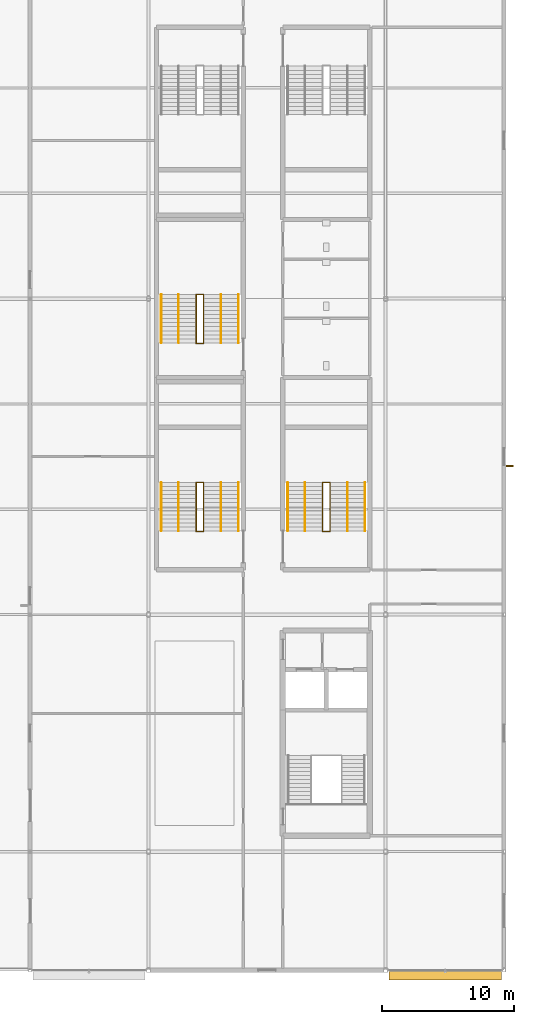
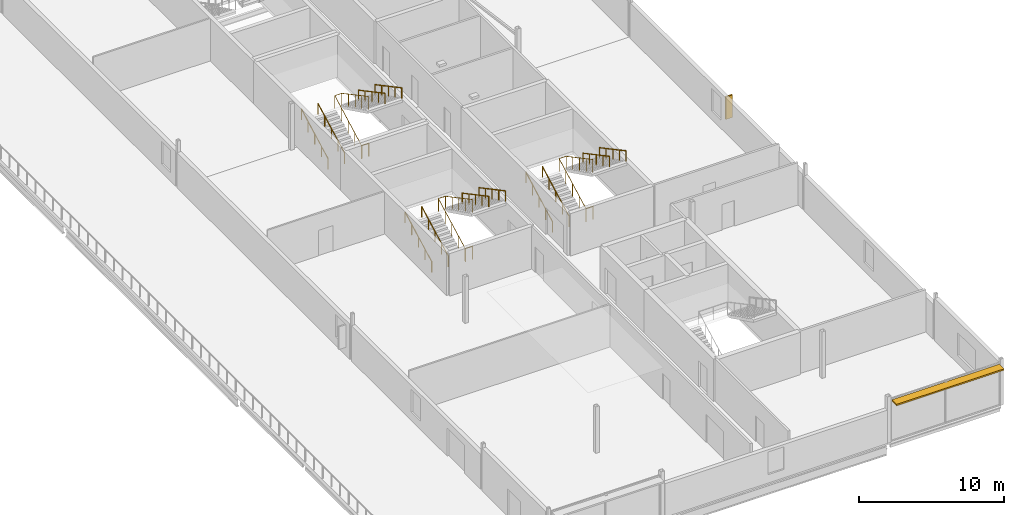
# One storey, part 53 of 55: 18 railings, 2 shading devices.
"""IFC4 building model written with IfcOpenShell, lengths in metres."""

from ifc_helpers import new_model, si_unit, direction, frame, origin, origin_2d, place, context, subcontext, project, spatial, rectangle, circle, extrude, material, type_object, element, save


model = new_model("IFC4")

# Units and contexts
model_context = context("Model", 3, precision=1e-05, world=origin(), true_north=direction((0.0, 1.0)))
body_context = subcontext(model_context, "Body", "Model", "MODEL_VIEW")
ifc_project = project(units=[si_unit("LENGTHUNIT", "METRE"), si_unit("AREAUNIT", "SQUARE_METRE"), si_unit("VOLUMEUNIT", "CUBIC_METRE"), si_unit("PLANEANGLEUNIT", "RADIAN"), si_unit("MASSUNIT", "GRAM", prefix="KILO")], contexts=[model_context])

# Site, building, storey
site_placement = place(None, origin())
site = spatial("IfcSite", under=ifc_project, at=site_placement, CompositionType="ELEMENT")
building_placement = place(site_placement, origin())
building = spatial("IfcBuilding", under=site, at=building_placement, Name="Kisiwana Market Hall", CompositionType="ELEMENT")
storey_placement = place(building_placement, frame((0.0, 0.0, 37.800048828125)))
storey = spatial("IfcBuildingStorey", under=building, at=storey_placement, Name="L08", CompositionType="ELEMENT", Elevation=37.800048828125)

# Railings
ifc_material_1 = material(Name="Steel S275", Category="steel")
railing_type_1 = type_object("IfcRailingType", Name="RL-GUARD-1100", PredefinedType="GUARDRAIL", material=ifc_material_1)
railing_1_placement = place(storey_placement, frame((184.219970703125, 42.360107421875, 0.0)))
element("IfcRailing", 1, at=railing_1_placement, inside=storey, type_object=railing_type_1, Name="Stair ST-E3-L08 inner-well guardrail (RL-1159)", PredefinedType="GUARDRAIL", context=body_context, shape_type="SweptSolid", body=[
    extrude(circle(Radius=0.02392578125, at=origin_2d()), frame((0.0, 0.0, 1.076171875), z_axis=(0.0, 0.88255331184, 0.47021234752), x_axis=(-1.0, 0.0, 0.0)), (0.0, 0.0, 1.0), 4.14697265625),
    extrude(circle(Radius=0.02392578125, at=origin_2d()), frame((0.0, 3.659912109375, 3.02587890625), z_axis=(1.0, 0.0, 0.0), x_axis=(0.0, 1.0, 0.0)), (0.0, 0.0, 1.0), 0.56005859375),
    extrude(circle(Radius=0.02392578125, at=origin_2d()), frame((0.56005859375, 3.659912109375, 3.02587890625), z_axis=(0.0, -0.88255331184, 0.47021234752), x_axis=(1.0, 0.0, 0.0)), (0.0, 0.0, 1.0), 4.14697265625),
    extrude(circle(Radius=0.02099609375, at=origin_2d()), origin(), (0.0, 0.0, 1.0), 1.052001953125),
    extrude(circle(Radius=0.02099609375, at=origin_2d()), frame((0.0, 0.9150390625, 0.487548828125)), (0.0, 0.0, 1.0), 1.052001953125),
    extrude(circle(Radius=0.02099609375, at=origin_2d()), frame((0.0, 1.830078125, 0.97509765625)), (0.0, 0.0, 1.0), 1.052001953125),
    extrude(circle(Radius=0.02099609375, at=origin_2d()), frame((0.0, 2.744873046875, 1.46240234375)), (0.0, 0.0, 1.0), 1.052001953125),
    extrude(circle(Radius=0.02099609375, at=origin_2d()), frame((0.0, 3.659912109375, 1.949951171875)), (0.0, 0.0, 1.0), 1.052001953125),
    extrude(circle(Radius=0.02099609375, at=origin_2d()), frame((0.56005859375, 3.659912109375, 1.949951171875)), (0.0, 0.0, 1.0), 1.052001953125),
    extrude(circle(Radius=0.02099609375, at=origin_2d()), frame((0.56005859375, 2.744873046875, 2.4375)), (0.0, 0.0, 1.0), 1.052001953125),
    extrude(circle(Radius=0.02099609375, at=origin_2d()), frame((0.56005859375, 1.830078125, 2.9248046875)), (0.0, 0.0, 1.0), 1.052001953125),
    extrude(circle(Radius=0.02099609375, at=origin_2d()), frame((0.56005859375, 0.9150390625, 3.412353515625)), (0.0, 0.0, 1.0), 1.052001953125),
    extrude(circle(Radius=0.02099609375, at=origin_2d()), frame((0.56005859375, 0.0, 3.89990234375)), (0.0, 0.0, 1.0), 1.052001953125),
])
railing_2_placement = place(storey_placement, frame((184.219970703125, 42.31005859375, 0.0)))
element("IfcRailing", 2, at=railing_2_placement, inside=storey, type_object=railing_type_1, Name="Stair ST-E3-L08 landing edge guardrail (RL-1164)", PredefinedType="GUARDRAIL", context=body_context, shape_type="SweptSolid", body=[
    extrude(circle(Radius=0.02392578125, at=origin_2d()), frame((0.0, 0.0, 1.076171875), z_axis=(1.0, 0.0, 0.0), x_axis=(0.0, 1.0, 0.0)), (0.0, 0.0, 1.0), 0.56005859375),
    extrude(circle(Radius=0.02099609375, at=origin_2d()), origin(), (0.0, 0.0, 1.0), 1.052001953125),
    extrude(circle(Radius=0.02099609375, at=origin_2d()), frame((0.56005859375, 0.0, 0.0)), (0.0, 0.0, 1.0), 1.052001953125),
])
railing_3_placement = place(storey_placement, frame((174.6201171875, 42.360107421875, 0.0)))
element("IfcRailing", 3, at=railing_3_placement, inside=storey, type_object=railing_type_1, Name="Stair ST-E7-L08 inner-well guardrail (RL-1177)", PredefinedType="GUARDRAIL", context=body_context, shape_type="SweptSolid", body=[
    extrude(circle(Radius=0.02392578125, at=origin_2d()), frame((0.0, 0.0, 1.076171875), z_axis=(0.0, 0.88255331184, 0.47021234752), x_axis=(-1.0, 0.0, 0.0)), (0.0, 0.0, 1.0), 4.14697265625),
    extrude(circle(Radius=0.02392578125, at=origin_2d()), frame((0.0, 3.659912109375, 3.02587890625), z_axis=(1.0, 0.0, 0.0), x_axis=(0.0, 1.0, 0.0)), (0.0, 0.0, 1.0), 0.559814453125),
    extrude(circle(Radius=0.02392578125, at=origin_2d()), frame((0.559814453125, 3.659912109375, 3.02587890625), z_axis=(0.0, -0.88255331184, 0.47021234752), x_axis=(1.0, 0.0, 0.0)), (0.0, 0.0, 1.0), 4.14697265625),
    extrude(circle(Radius=0.02099609375, at=origin_2d()), origin(), (0.0, 0.0, 1.0), 1.052001953125),
    extrude(circle(Radius=0.02099609375, at=origin_2d()), frame((0.0, 0.9150390625, 0.487548828125)), (0.0, 0.0, 1.0), 1.052001953125),
    extrude(circle(Radius=0.02099609375, at=origin_2d()), frame((0.0, 1.830078125, 0.97509765625)), (0.0, 0.0, 1.0), 1.052001953125),
    extrude(circle(Radius=0.02099609375, at=origin_2d()), frame((0.0, 2.744873046875, 1.46240234375)), (0.0, 0.0, 1.0), 1.052001953125),
    extrude(circle(Radius=0.02099609375, at=origin_2d()), frame((0.0, 3.659912109375, 1.949951171875)), (0.0, 0.0, 1.0), 1.052001953125),
    extrude(circle(Radius=0.02099609375, at=origin_2d()), frame((0.559814453125, 3.659912109375, 1.949951171875)), (0.0, 0.0, 1.0), 1.052001953125),
    extrude(circle(Radius=0.02099609375, at=origin_2d()), frame((0.559814453125, 2.744873046875, 2.4375)), (0.0, 0.0, 1.0), 1.052001953125),
    extrude(circle(Radius=0.02099609375, at=origin_2d()), frame((0.559814453125, 1.830078125, 2.9248046875)), (0.0, 0.0, 1.0), 1.052001953125),
    extrude(circle(Radius=0.02099609375, at=origin_2d()), frame((0.559814453125, 0.9150390625, 3.412353515625)), (0.0, 0.0, 1.0), 1.052001953125),
    extrude(circle(Radius=0.02099609375, at=origin_2d()), frame((0.559814453125, 0.0, 3.89990234375)), (0.0, 0.0, 1.0), 1.052001953125),
])
railing_4_placement = place(storey_placement, frame((174.6201171875, 42.31005859375, 0.0)))
element("IfcRailing", 4, at=railing_4_placement, inside=storey, type_object=railing_type_1, Name="Stair ST-E7-L08 landing edge guardrail (RL-1182)", PredefinedType="GUARDRAIL", context=body_context, shape_type="SweptSolid", body=[
    extrude(circle(Radius=0.02392578125, at=origin_2d()), frame((0.0, 0.0, 1.076171875), z_axis=(1.0, 0.0, 0.0), x_axis=(0.0, 1.0, 0.0)), (0.0, 0.0, 1.0), 0.559814453125),
    extrude(circle(Radius=0.02099609375, at=origin_2d()), origin(), (0.0, 0.0, 1.0), 1.052001953125),
    extrude(circle(Radius=0.02099609375, at=origin_2d()), frame((0.559814453125, 0.0, 0.0)), (0.0, 0.0, 1.0), 1.052001953125),
])
railing_5_placement = place(storey_placement, frame((174.6201171875, 56.639892578125, 0.0)))
element("IfcRailing", 5, at=railing_5_placement, inside=storey, type_object=railing_type_1, Name="Stair ST-E5-L08 inner-well guardrail (RL-1201)", PredefinedType="GUARDRAIL", context=body_context, shape_type="SweptSolid", body=[
    extrude(circle(Radius=0.02392578125, at=origin_2d()), frame((0.0, 0.0, 1.076171875), z_axis=(0.0, 0.882566327451, 0.470187917379), x_axis=(-1.0, 0.0, 0.0)), (0.0, 0.0, 1.0), 4.147216796875),
    extrude(circle(Radius=0.02392578125, at=origin_2d()), frame((0.0, 3.66015625, 3.02587890625), z_axis=(1.0, 0.0, 0.0), x_axis=(0.0, 1.0, 0.0)), (0.0, 0.0, 1.0), 0.559814453125),
    extrude(circle(Radius=0.02392578125, at=origin_2d()), frame((0.559814453125, 3.66015625, 3.02587890625), z_axis=(0.0, -0.882566327451, 0.470187917379), x_axis=(1.0, 0.0, 0.0)), (0.0, 0.0, 1.0), 4.147216796875),
    extrude(circle(Radius=0.02099609375, at=origin_2d()), origin(), (0.0, 0.0, 1.0), 1.052001953125),
    extrude(circle(Radius=0.02099609375, at=origin_2d()), frame((0.0, 0.9150390625, 0.487548828125)), (0.0, 0.0, 1.0), 1.052001953125),
    extrude(circle(Radius=0.02099609375, at=origin_2d()), frame((0.0, 1.830078125, 0.97509765625)), (0.0, 0.0, 1.0), 1.052001953125),
    extrude(circle(Radius=0.02099609375, at=origin_2d()), frame((0.0, 2.7451171875, 1.46240234375)), (0.0, 0.0, 1.0), 1.052001953125),
    extrude(circle(Radius=0.02099609375, at=origin_2d()), frame((0.0, 3.66015625, 1.949951171875)), (0.0, 0.0, 1.0), 1.052001953125),
    extrude(circle(Radius=0.02099609375, at=origin_2d()), frame((0.559814453125, 3.66015625, 1.949951171875)), (0.0, 0.0, 1.0), 1.052001953125),
    extrude(circle(Radius=0.02099609375, at=origin_2d()), frame((0.559814453125, 2.7451171875, 2.4375)), (0.0, 0.0, 1.0), 1.052001953125),
    extrude(circle(Radius=0.02099609375, at=origin_2d()), frame((0.559814453125, 1.830078125, 2.9248046875)), (0.0, 0.0, 1.0), 1.052001953125),
    extrude(circle(Radius=0.02099609375, at=origin_2d()), frame((0.559814453125, 0.9150390625, 3.412353515625)), (0.0, 0.0, 1.0), 1.052001953125),
    extrude(circle(Radius=0.02099609375, at=origin_2d()), frame((0.559814453125, 0.0, 3.89990234375)), (0.0, 0.0, 1.0), 1.052001953125),
])
railing_6_placement = place(storey_placement, frame((174.6201171875, 56.590087890625, 0.0)))
element("IfcRailing", 6, at=railing_6_placement, inside=storey, type_object=railing_type_1, Name="Stair ST-E5-L08 landing edge guardrail (RL-1206)", PredefinedType="GUARDRAIL", context=body_context, shape_type="SweptSolid", body=[
    extrude(circle(Radius=0.02392578125, at=origin_2d()), frame((0.0, 0.0, 1.076171875), z_axis=(1.0, 0.0, 0.0), x_axis=(0.0, 1.0, 0.0)), (0.0, 0.0, 1.0), 0.559814453125),
    extrude(circle(Radius=0.02099609375, at=origin_2d()), origin(), (0.0, 0.0, 1.0), 1.052001953125),
    extrude(circle(Radius=0.02099609375, at=origin_2d()), frame((0.559814453125, 0.0, 0.0)), (0.0, 0.0, 1.0), 1.052001953125),
])
ifc_material_2 = material(Name="Steel S275", Category="steel")
railing_type_2 = type_object("IfcRailingType", Name="RL-HAND-900", PredefinedType="HANDRAIL", material=ifc_material_2)
railing_7_placement = place(storey_placement, frame((181.570068359375, 42.360107421875, 0.0)))
element("IfcRailing", 7, at=railing_7_placement, inside=storey, type_object=railing_type_2, Name="Stair ST-E3-L08 flight 1 handrail (RL-1160)", PredefinedType="HANDRAIL", context=body_context, shape_type="SweptSolid", body=[
    extrude(circle(Radius=0.02392578125, at=origin_2d()), frame((0.0, 0.0, 0.8759765625), z_axis=(0.0, 0.88255331184, 0.47021234752), x_axis=(-1.0, 0.0, 0.0)), (0.0, 0.0, 1.0), 4.14697265625),
    extrude(circle(Radius=0.02099609375, at=origin_2d()), origin(), (0.0, 0.0, 1.0), 0.851806640625),
    extrude(circle(Radius=0.02099609375, at=origin_2d()), frame((0.0, 0.9150390625, 0.487548828125)), (0.0, 0.0, 1.0), 0.851806640625),
    extrude(circle(Radius=0.02099609375, at=origin_2d()), frame((0.0, 1.830078125, 0.97509765625)), (0.0, 0.0, 1.0), 0.851806640625),
    extrude(circle(Radius=0.02099609375, at=origin_2d()), frame((0.0, 2.744873046875, 1.46240234375)), (0.0, 0.0, 1.0), 0.851806640625),
    extrude(circle(Radius=0.02099609375, at=origin_2d()), frame((0.0, 3.659912109375, 1.949951171875)), (0.0, 0.0, 1.0), 0.851806640625),
])
railing_8_placement = place(storey_placement, frame((187.429931640625, 46.02001953125, 1.949951171875)))
element("IfcRailing", 8, at=railing_8_placement, inside=storey, type_object=railing_type_2, Name="Stair ST-E3-L08 flight 2 handrail (RL-1161)", PredefinedType="HANDRAIL", context=body_context, shape_type="SweptSolid", body=[
    extrude(circle(Radius=0.02392578125, at=origin_2d()), frame((0.0, 0.0, 0.8759765625), z_axis=(0.0, -0.88255331184, 0.47021234752), x_axis=(1.0, 0.0, 0.0)), (0.0, 0.0, 1.0), 4.14697265625),
    extrude(circle(Radius=0.02099609375, at=origin_2d()), origin(), (0.0, 0.0, 1.0), 0.851806640625),
    extrude(circle(Radius=0.02099609375, at=origin_2d()), frame((0.0, -0.9150390625, 0.487548828125)), (0.0, 0.0, 1.0), 0.851806640625),
    extrude(circle(Radius=0.02099609375, at=origin_2d()), frame((0.0, -1.830078125, 0.97509765625)), (0.0, 0.0, 1.0), 0.851806640625),
    extrude(circle(Radius=0.02099609375, at=origin_2d()), frame((0.0, -2.744873046875, 1.46240234375)), (0.0, 0.0, 1.0), 0.851806640625),
    extrude(circle(Radius=0.02099609375, at=origin_2d()), frame((0.0, -3.659912109375, 1.949951171875)), (0.0, 0.0, 1.0), 0.851806640625),
])
railing_9_placement = place(storey_placement, frame((182.889892578125, 42.360107421875, 0.0)))
element("IfcRailing", 9, at=railing_9_placement, inside=storey, type_object=railing_type_2, Name="Stair ST-E3-L08 flight 1 intermediate handrail (RL-1162)", PredefinedType="HANDRAIL", context=body_context, shape_type="SweptSolid", body=[
    extrude(circle(Radius=0.02392578125, at=origin_2d()), frame((0.0, 0.0, 0.8759765625), z_axis=(0.0, 0.88255331184, 0.47021234752), x_axis=(-1.0, 0.0, 0.0)), (0.0, 0.0, 1.0), 4.14697265625),
    extrude(circle(Radius=0.02099609375, at=origin_2d()), origin(), (0.0, 0.0, 1.0), 0.851806640625),
    extrude(circle(Radius=0.02099609375, at=origin_2d()), frame((0.0, 0.9150390625, 0.487548828125)), (0.0, 0.0, 1.0), 0.851806640625),
    extrude(circle(Radius=0.02099609375, at=origin_2d()), frame((0.0, 1.830078125, 0.97509765625)), (0.0, 0.0, 1.0), 0.851806640625),
    extrude(circle(Radius=0.02099609375, at=origin_2d()), frame((0.0, 2.744873046875, 1.46240234375)), (0.0, 0.0, 1.0), 0.851806640625),
    extrude(circle(Radius=0.02099609375, at=origin_2d()), frame((0.0, 3.659912109375, 1.949951171875)), (0.0, 0.0, 1.0), 0.851806640625),
])
railing_10_placement = place(storey_placement, frame((186.110107421875, 46.02001953125, 1.949951171875)))
element("IfcRailing", 10, at=railing_10_placement, inside=storey, type_object=railing_type_2, Name="Stair ST-E3-L08 flight 2 intermediate handrail (RL-1163)", PredefinedType="HANDRAIL", context=body_context, shape_type="SweptSolid", body=[
    extrude(circle(Radius=0.02392578125, at=origin_2d()), frame((0.0, 0.0, 0.8759765625), z_axis=(0.0, -0.88255331184, 0.47021234752), x_axis=(1.0, 0.0, 0.0)), (0.0, 0.0, 1.0), 4.14697265625),
    extrude(circle(Radius=0.02099609375, at=origin_2d()), origin(), (0.0, 0.0, 1.0), 0.851806640625),
    extrude(circle(Radius=0.02099609375, at=origin_2d()), frame((0.0, -0.9150390625, 0.487548828125)), (0.0, 0.0, 1.0), 0.851806640625),
    extrude(circle(Radius=0.02099609375, at=origin_2d()), frame((0.0, -1.830078125, 0.97509765625)), (0.0, 0.0, 1.0), 0.851806640625),
    extrude(circle(Radius=0.02099609375, at=origin_2d()), frame((0.0, -2.744873046875, 1.46240234375)), (0.0, 0.0, 1.0), 0.851806640625),
    extrude(circle(Radius=0.02099609375, at=origin_2d()), frame((0.0, -3.659912109375, 1.949951171875)), (0.0, 0.0, 1.0), 0.851806640625),
])
railing_11_placement = place(storey_placement, frame((171.969970703125, 42.360107421875, 0.0)))
element("IfcRailing", 11, at=railing_11_placement, inside=storey, type_object=railing_type_2, Name="Stair ST-E7-L08 flight 1 handrail (RL-1178)", PredefinedType="HANDRAIL", context=body_context, shape_type="SweptSolid", body=[
    extrude(circle(Radius=0.02392578125, at=origin_2d()), frame((0.0, 0.0, 0.8759765625), z_axis=(0.0, 0.88255331184, 0.47021234752), x_axis=(-1.0, 0.0, 0.0)), (0.0, 0.0, 1.0), 4.14697265625),
    extrude(circle(Radius=0.02099609375, at=origin_2d()), origin(), (0.0, 0.0, 1.0), 0.851806640625),
    extrude(circle(Radius=0.02099609375, at=origin_2d()), frame((0.0, 0.9150390625, 0.487548828125)), (0.0, 0.0, 1.0), 0.851806640625),
    extrude(circle(Radius=0.02099609375, at=origin_2d()), frame((0.0, 1.830078125, 0.97509765625)), (0.0, 0.0, 1.0), 0.851806640625),
    extrude(circle(Radius=0.02099609375, at=origin_2d()), frame((0.0, 2.744873046875, 1.46240234375)), (0.0, 0.0, 1.0), 0.851806640625),
    extrude(circle(Radius=0.02099609375, at=origin_2d()), frame((0.0, 3.659912109375, 1.949951171875)), (0.0, 0.0, 1.0), 0.851806640625),
])
railing_12_placement = place(storey_placement, frame((177.830078125, 46.02001953125, 1.949951171875)))
element("IfcRailing", 12, at=railing_12_placement, inside=storey, type_object=railing_type_2, Name="Stair ST-E7-L08 flight 2 handrail (RL-1179)", PredefinedType="HANDRAIL", context=body_context, shape_type="SweptSolid", body=[
    extrude(circle(Radius=0.02392578125, at=origin_2d()), frame((0.0, 0.0, 0.8759765625), z_axis=(0.0, -0.88255331184, 0.47021234752), x_axis=(1.0, 0.0, 0.0)), (0.0, 0.0, 1.0), 4.14697265625),
    extrude(circle(Radius=0.02099609375, at=origin_2d()), origin(), (0.0, 0.0, 1.0), 0.851806640625),
    extrude(circle(Radius=0.02099609375, at=origin_2d()), frame((0.0, -0.9150390625, 0.487548828125)), (0.0, 0.0, 1.0), 0.851806640625),
    extrude(circle(Radius=0.02099609375, at=origin_2d()), frame((0.0, -1.830078125, 0.97509765625)), (0.0, 0.0, 1.0), 0.851806640625),
    extrude(circle(Radius=0.02099609375, at=origin_2d()), frame((0.0, -2.744873046875, 1.46240234375)), (0.0, 0.0, 1.0), 0.851806640625),
    extrude(circle(Radius=0.02099609375, at=origin_2d()), frame((0.0, -3.659912109375, 1.949951171875)), (0.0, 0.0, 1.0), 0.851806640625),
])
railing_13_placement = place(storey_placement, frame((173.2900390625, 42.360107421875, 0.0)))
element("IfcRailing", 13, at=railing_13_placement, inside=storey, type_object=railing_type_2, Name="Stair ST-E7-L08 flight 1 intermediate handrail (RL-1180)", PredefinedType="HANDRAIL", context=body_context, shape_type="SweptSolid", body=[
    extrude(circle(Radius=0.02392578125, at=origin_2d()), frame((0.0, 0.0, 0.8759765625), z_axis=(0.0, 0.88255331184, 0.47021234752), x_axis=(-1.0, 0.0, 0.0)), (0.0, 0.0, 1.0), 4.14697265625),
    extrude(circle(Radius=0.02099609375, at=origin_2d()), origin(), (0.0, 0.0, 1.0), 0.851806640625),
    extrude(circle(Radius=0.02099609375, at=origin_2d()), frame((0.0, 0.9150390625, 0.487548828125)), (0.0, 0.0, 1.0), 0.851806640625),
    extrude(circle(Radius=0.02099609375, at=origin_2d()), frame((0.0, 1.830078125, 0.97509765625)), (0.0, 0.0, 1.0), 0.851806640625),
    extrude(circle(Radius=0.02099609375, at=origin_2d()), frame((0.0, 2.744873046875, 1.46240234375)), (0.0, 0.0, 1.0), 0.851806640625),
    extrude(circle(Radius=0.02099609375, at=origin_2d()), frame((0.0, 3.659912109375, 1.949951171875)), (0.0, 0.0, 1.0), 0.851806640625),
])
railing_14_placement = place(storey_placement, frame((176.510009765625, 46.02001953125, 1.949951171875)))
element("IfcRailing", 14, at=railing_14_placement, inside=storey, type_object=railing_type_2, Name="Stair ST-E7-L08 flight 2 intermediate handrail (RL-1181)", PredefinedType="HANDRAIL", context=body_context, shape_type="SweptSolid", body=[
    extrude(circle(Radius=0.02392578125, at=origin_2d()), frame((0.0, 0.0, 0.8759765625), z_axis=(0.0, -0.88255331184, 0.47021234752), x_axis=(1.0, 0.0, 0.0)), (0.0, 0.0, 1.0), 4.14697265625),
    extrude(circle(Radius=0.02099609375, at=origin_2d()), origin(), (0.0, 0.0, 1.0), 0.851806640625),
    extrude(circle(Radius=0.02099609375, at=origin_2d()), frame((0.0, -0.9150390625, 0.487548828125)), (0.0, 0.0, 1.0), 0.851806640625),
    extrude(circle(Radius=0.02099609375, at=origin_2d()), frame((0.0, -1.830078125, 0.97509765625)), (0.0, 0.0, 1.0), 0.851806640625),
    extrude(circle(Radius=0.02099609375, at=origin_2d()), frame((0.0, -2.744873046875, 1.46240234375)), (0.0, 0.0, 1.0), 0.851806640625),
    extrude(circle(Radius=0.02099609375, at=origin_2d()), frame((0.0, -3.659912109375, 1.949951171875)), (0.0, 0.0, 1.0), 0.851806640625),
])
railing_15_placement = place(storey_placement, frame((171.969970703125, 56.639892578125, 0.0)))
element("IfcRailing", 15, at=railing_15_placement, inside=storey, type_object=railing_type_2, Name="Stair ST-E5-L08 flight 1 handrail (RL-1202)", PredefinedType="HANDRAIL", context=body_context, shape_type="SweptSolid", body=[
    extrude(circle(Radius=0.02392578125, at=origin_2d()), frame((0.0, 0.0, 0.8759765625), z_axis=(0.0, 0.882566327451, 0.470187917379), x_axis=(-1.0, 0.0, 0.0)), (0.0, 0.0, 1.0), 4.147216796875),
    extrude(circle(Radius=0.02099609375, at=origin_2d()), origin(), (0.0, 0.0, 1.0), 0.851806640625),
    extrude(circle(Radius=0.02099609375, at=origin_2d()), frame((0.0, 0.9150390625, 0.487548828125)), (0.0, 0.0, 1.0), 0.851806640625),
    extrude(circle(Radius=0.02099609375, at=origin_2d()), frame((0.0, 1.830078125, 0.97509765625)), (0.0, 0.0, 1.0), 0.851806640625),
    extrude(circle(Radius=0.02099609375, at=origin_2d()), frame((0.0, 2.7451171875, 1.46240234375)), (0.0, 0.0, 1.0), 0.851806640625),
    extrude(circle(Radius=0.02099609375, at=origin_2d()), frame((0.0, 3.66015625, 1.949951171875)), (0.0, 0.0, 1.0), 0.851806640625),
])
railing_16_placement = place(storey_placement, frame((177.830078125, 60.300048828125, 1.949951171875)))
element("IfcRailing", 16, at=railing_16_placement, inside=storey, type_object=railing_type_2, Name="Stair ST-E5-L08 flight 2 handrail (RL-1203)", PredefinedType="HANDRAIL", context=body_context, shape_type="SweptSolid", body=[
    extrude(circle(Radius=0.02392578125, at=origin_2d()), frame((0.0, 0.0, 0.8759765625), z_axis=(0.0, -0.882566327451, 0.470187917379), x_axis=(1.0, 0.0, 0.0)), (0.0, 0.0, 1.0), 4.147216796875),
    extrude(circle(Radius=0.02099609375, at=origin_2d()), origin(), (0.0, 0.0, 1.0), 0.851806640625),
    extrude(circle(Radius=0.02099609375, at=origin_2d()), frame((0.0, -0.9150390625, 0.487548828125)), (0.0, 0.0, 1.0), 0.851806640625),
    extrude(circle(Radius=0.02099609375, at=origin_2d()), frame((0.0, -1.830078125, 0.97509765625)), (0.0, 0.0, 1.0), 0.851806640625),
    extrude(circle(Radius=0.02099609375, at=origin_2d()), frame((0.0, -2.7451171875, 1.46240234375)), (0.0, 0.0, 1.0), 0.851806640625),
    extrude(circle(Radius=0.02099609375, at=origin_2d()), frame((0.0, -3.66015625, 1.949951171875)), (0.0, 0.0, 1.0), 0.851806640625),
])
railing_17_placement = place(storey_placement, frame((173.2900390625, 56.639892578125, 0.0)))
element("IfcRailing", 17, at=railing_17_placement, inside=storey, type_object=railing_type_2, Name="Stair ST-E5-L08 flight 1 intermediate handrail (RL-1204)", PredefinedType="HANDRAIL", context=body_context, shape_type="SweptSolid", body=[
    extrude(circle(Radius=0.02392578125, at=origin_2d()), frame((0.0, 0.0, 0.8759765625), z_axis=(0.0, 0.882566327451, 0.470187917379), x_axis=(-1.0, 0.0, 0.0)), (0.0, 0.0, 1.0), 4.147216796875),
    extrude(circle(Radius=0.02099609375, at=origin_2d()), origin(), (0.0, 0.0, 1.0), 0.851806640625),
    extrude(circle(Radius=0.02099609375, at=origin_2d()), frame((0.0, 0.9150390625, 0.487548828125)), (0.0, 0.0, 1.0), 0.851806640625),
    extrude(circle(Radius=0.02099609375, at=origin_2d()), frame((0.0, 1.830078125, 0.97509765625)), (0.0, 0.0, 1.0), 0.851806640625),
    extrude(circle(Radius=0.02099609375, at=origin_2d()), frame((0.0, 2.7451171875, 1.46240234375)), (0.0, 0.0, 1.0), 0.851806640625),
    extrude(circle(Radius=0.02099609375, at=origin_2d()), frame((0.0, 3.66015625, 1.949951171875)), (0.0, 0.0, 1.0), 0.851806640625),
])
railing_18_placement = place(storey_placement, frame((176.510009765625, 60.300048828125, 1.949951171875)))
element("IfcRailing", 18, at=railing_18_placement, inside=storey, type_object=railing_type_2, Name="Stair ST-E5-L08 flight 2 intermediate handrail (RL-1205)", PredefinedType="HANDRAIL", context=body_context, shape_type="SweptSolid", body=[
    extrude(circle(Radius=0.02392578125, at=origin_2d()), frame((0.0, 0.0, 0.8759765625), z_axis=(0.0, -0.882566327451, 0.470187917379), x_axis=(1.0, 0.0, 0.0)), (0.0, 0.0, 1.0), 4.147216796875),
    extrude(circle(Radius=0.02099609375, at=origin_2d()), origin(), (0.0, 0.0, 1.0), 0.851806640625),
    extrude(circle(Radius=0.02099609375, at=origin_2d()), frame((0.0, -0.9150390625, 0.487548828125)), (0.0, 0.0, 1.0), 0.851806640625),
    extrude(circle(Radius=0.02099609375, at=origin_2d()), frame((0.0, -1.830078125, 0.97509765625)), (0.0, 0.0, 1.0), 0.851806640625),
    extrude(circle(Radius=0.02099609375, at=origin_2d()), frame((0.0, -2.7451171875, 1.46240234375)), (0.0, 0.0, 1.0), 0.851806640625),
    extrude(circle(Radius=0.02099609375, at=origin_2d()), frame((0.0, -3.66015625, 1.949951171875)), (0.0, 0.0, 1.0), 0.851806640625),
])

# Shading devices
ifc_material_3 = material(Name="Aluminium alloy 6063-T6", Category="aluminium")
shading_device_type_1 = type_object("IfcShadingDeviceType", Name="SHD-JALOUSIE-H", PredefinedType="JALOUSIE", material=ifc_material_3)
shading_device_1_placement = place(storey_placement, frame((193.52001953125, 8.580078125, 3.385009765625), z_axis=(0.0, 0.0, 1.0), x_axis=(1.0, 0.0, 0.0)))
element("IfcShadingDevice", 19, at=shading_device_1_placement, inside=storey, type_object=shading_device_type_1, Name="Aluminium brise-soleil louvre SHD-180 SD-179", PredefinedType="JALOUSIE", context=body_context, shape_type="SweptSolid", body=[
    extrude(rectangle(XDim=8.5400390625, YDim=0.64990234375, at=origin_2d()), origin(), (0.0, 0.0, 1.0), 0.1201171875),
])
ifc_material_4 = material(Name="Aluminium alloy 6063-T6", Category="aluminium")
shading_device_type_2 = type_object("IfcShadingDeviceType", Name="SHD-SHUTTER-V", PredefinedType="SHUTTER", material=ifc_material_4)
shading_device_2_placement = place(storey_placement, frame((198.4326171875, 47.27001953125, 0.699951171875), z_axis=(0.0, 0.0, 1.0), x_axis=(0.0, 1.0, 0.0)))
element("IfcShadingDevice", 20, at=shading_device_2_placement, inside=storey, type_object=shading_device_type_2, Name="Vertical solar fin SHD-187 SD-186", PredefinedType="SHUTTER", context=body_context, shape_type="SweptSolid", body=[
    extrude(rectangle(XDim=0.1201171875, YDim=0.550048828125, at=origin_2d()), origin(), (0.0, 0.0, 1.0), 1.89990234375),
])

save(model, "model.ifc")
